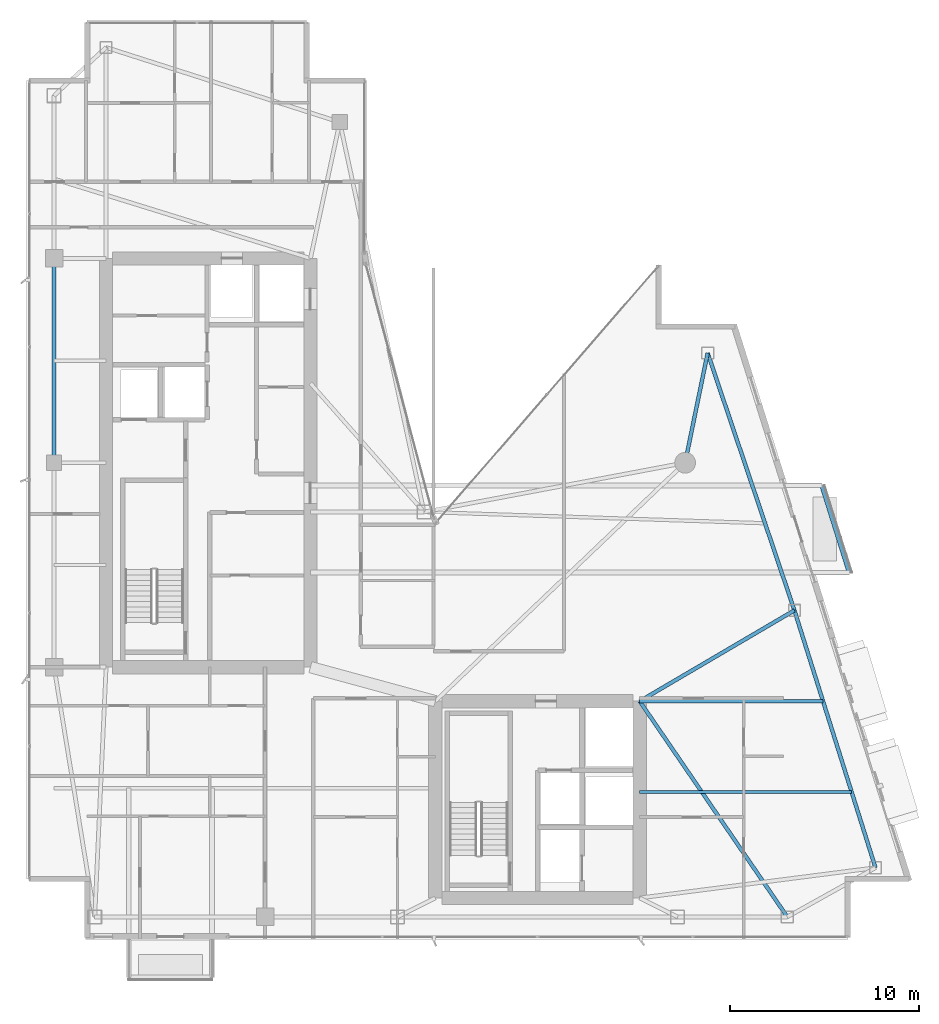
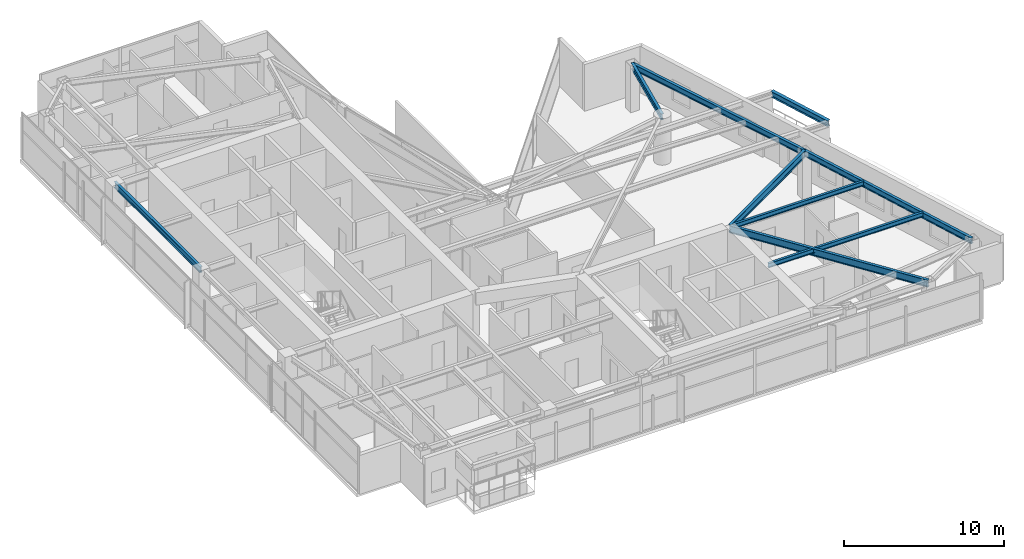
# One storey, part 15 of 29: 9 beams.
"""IFC4 building model written with IfcOpenShell, lengths in metres."""

from ifc_helpers import new_model, si_unit, direction, frame, origin, origin_2d, place, context, subcontext, project, spatial, i_section, extrude, material, material_profile, profile_set, type_object, element, save


model = new_model("IFC4")

# Units and contexts
model_context = context("Model", 3, precision=1e-05, world=origin(), true_north=direction((0.0, 1.0)))
body_context = subcontext(model_context, "Body", "Model", "MODEL_VIEW")
ifc_project = project(units=[si_unit("LENGTHUNIT", "METRE"), si_unit("AREAUNIT", "SQUARE_METRE"), si_unit("VOLUMEUNIT", "CUBIC_METRE"), si_unit("PLANEANGLEUNIT", "RADIAN"), si_unit("MASSUNIT", "GRAM", prefix="KILO")], contexts=[model_context])

# Site, building, storey
site_placement = place(None, origin())
site = spatial("IfcSite", under=ifc_project, at=site_placement, CompositionType="ELEMENT")
building_placement = place(site_placement, origin())
building = spatial("IfcBuilding", under=site, at=building_placement, Name="Calvorn Quay Hotel", CompositionType="ELEMENT")
storey_placement = place(building_placement, frame((0.0, 0.0, 255.199951171875)))
storey = spatial("IfcBuildingStorey", under=building, at=storey_placement, Name="L63", CompositionType="ELEMENT", Elevation=255.199951171875)

# Beams
ifc_material_1 = material(Name="Steel Q355B", Category="steel")
ifc_material_profile_1 = material_profile(ifc_material_1, i_section(OverallWidth=0.25, OverallDepth=0.449951171875, WebThickness=0.011962890625, FlangeThickness=0.01611328125, FilletRadius=0.01611328125, at=origin_2d()), Name="HN450x250x12x16")
ifc_profile_set_1 = profile_set([ifc_material_profile_1], Name="Steel Q355B")
beam_type_1 = type_object("IfcBeamType", Name="BM-CANT-BALC", PredefinedType="BEAM", material=ifc_profile_set_1)
beam_1_placement = place(storey_placement, frame((43.486083984375, 21.800048828125, 3.31494140625), z_axis=(-0.300450487966, 0.953797412599, 0.0), x_axis=(-0.953797412599, -0.300450487966, 0.0)))
element("IfcBeam", 1, at=beam_1_placement, inside=storey, type_object=beam_type_1, Name="Beam BCBO-L64-1", PredefinedType="BEAM", context=body_context, shape_type="SweptSolid", body=[
    extrude(i_section(OverallWidth=0.25, OverallDepth=0.449951171875, WebThickness=0.011962890625, FlangeThickness=0.01611328125, FilletRadius=0.01611328125, at=origin_2d()), origin(), (0.0, 0.0, 1.0), 4.82275390625),
])
ifc_material_2 = material(Name="Steel Q355B", Category="steel")
ifc_material_profile_2 = material_profile(ifc_material_2, i_section(OverallWidth=0.199951171875, OverallDepth=0.550048828125, WebThickness=0.010009765625, FlangeThickness=0.01611328125, FilletRadius=0.01806640625, at=origin_2d()), Name="HN550x200x10x16")
ifc_profile_set_2 = profile_set([ifc_material_profile_2], Name="Steel Q355B")
beam_type_2 = type_object("IfcBeamType", Name="BM-GIRD-UPP", PredefinedType="BEAM", material=ifc_profile_set_2)
beam_2_placement = place(storey_placement, frame((32.39990234375, 15.0, 3.26513671875), z_axis=(0.862366169926, 0.506285086653, 0.0), x_axis=(-0.506285086653, 0.862366169926, 0.0)))
element("IfcBeam", 2, at=beam_2_placement, inside=storey, type_object=beam_type_2, Name="Beam BG-L63-E2", PredefinedType="BEAM", context=body_context, shape_type="SweptSolid", body=[
    extrude(i_section(OverallWidth=0.199951171875, OverallDepth=0.550048828125, WebThickness=0.010009765625, FlangeThickness=0.01611328125, FilletRadius=0.01806640625, at=origin_2d()), origin(), (0.0, 0.0, 1.0), 9.48095703125),
])
beam_3_placement = place(storey_placement, frame((40.199951171875, 3.60009765625, 3.26513671875), z_axis=(-0.564689618177, 0.825303359452, 0.0), x_axis=(-0.825303359452, -0.564689618177, 0.0)))
element("IfcBeam", 3, at=beam_3_placement, inside=storey, type_object=beam_type_2, Name="Beam BG-L63-E6", PredefinedType="BEAM", context=body_context, shape_type="SweptSolid", body=[
    extrude(i_section(OverallWidth=0.199951171875, OverallDepth=0.550048828125, WebThickness=0.010009765625, FlangeThickness=0.01611328125, FilletRadius=0.01806640625, at=origin_2d()), origin(), (0.0, 0.0, 1.0), 13.81298828125),
])
ifc_material_3 = material(Name="Steel Q355B", Category="steel")
ifc_material_profile_3 = material_profile(ifc_material_3, i_section(OverallWidth=0.175048828125, OverallDepth=0.35009765625, WebThickness=0.007080078125, FlangeThickness=0.010986328125, FilletRadius=0.013916015625, at=origin_2d()), Name="HN350x175x7x11")
ifc_profile_set_3 = profile_set([ifc_material_profile_3], Name="Steel Q355B")
beam_type_3 = type_object("IfcBeamType", Name="BM-JOIST-SEC", PredefinedType="JOIST", material=ifc_profile_set_3)
beam_4_placement = place(storey_placement, frame((32.39990234375, 10.199951171875, 3.364990234375), z_axis=(1.0, 0.0, 0.0), x_axis=(0.0, 1.0, 0.0)))
element("IfcBeam", 4, at=beam_4_placement, inside=storey, type_object=beam_type_3, Name="Beam BJ-L63-E1", PredefinedType="JOIST", context=body_context, shape_type="SweptSolid", body=[
    extrude(i_section(OverallWidth=0.175048828125, OverallDepth=0.35009765625, WebThickness=0.007080078125, FlangeThickness=0.010986328125, FilletRadius=0.013916015625, at=origin_2d()), origin(), (0.0, 0.0, 1.0), 11.201171875),
])
beam_5_placement = place(storey_placement, frame((32.39990234375, 15.0, 3.364990234375), z_axis=(1.0, 0.0, 0.0), x_axis=(0.0, 1.0, 0.0)))
element("IfcBeam", 5, at=beam_5_placement, inside=storey, type_object=beam_type_3, Name="Beam BJ-L63-E2", PredefinedType="JOIST", context=body_context, shape_type="SweptSolid", body=[
    extrude(i_section(OverallWidth=0.175048828125, OverallDepth=0.35009765625, WebThickness=0.007080078125, FlangeThickness=0.010986328125, FilletRadius=0.013916015625, at=origin_2d()), origin(), (0.0, 0.0, 1.0), 9.68798828125),
])
ifc_material_4 = material(Name="Steel Q355B", Category="steel")
ifc_material_profile_4 = material_profile(ifc_material_4, i_section(OverallWidth=0.199951171875, OverallDepth=0.449951171875, WebThickness=0.009033203125, FlangeThickness=0.013916015625, FilletRadius=0.01611328125, at=origin_2d()), Name="HN450x200x9x14")
ifc_profile_set_4 = profile_set([ifc_material_profile_4], Name="Steel Q355B")
beam_type_4 = type_object("IfcBeamType", Name="BM-SPANDREL-Z3", PredefinedType="SPANDREL", material=ifc_profile_set_4)
beam_6_placement = place(storey_placement, frame((1.449951171875, 27.60009765625, 3.31494140625), z_axis=(0.0, 1.0, 0.0), x_axis=(-1.0, 0.0, 0.0)))
element("IfcBeam", 6, at=beam_6_placement, inside=storey, type_object=beam_type_4, Name="Beam BSP-L63-W3", PredefinedType="SPANDREL", context=body_context, shape_type="SweptSolid", body=[
    extrude(i_section(OverallWidth=0.199951171875, OverallDepth=0.449951171875, WebThickness=0.009033203125, FlangeThickness=0.013916015625, FilletRadius=0.01611328125, at=origin_2d()), origin(), (0.0, 0.0, 1.0), 10.7998046875),
])
beam_7_placement = place(storey_placement, frame((44.861083984375, 6.199951171875, 3.31494140625), z_axis=(-0.300518378216, 0.953776024208, 0.0), x_axis=(-0.953776024208, -0.300518378216, 0.0)))
element("IfcBeam", 7, at=beam_7_placement, inside=storey, type_object=beam_type_4, Name="Beam BSP-L63-E1", PredefinedType="SPANDREL", context=body_context, shape_type="SweptSolid", body=[
    extrude(i_section(OverallWidth=0.199951171875, OverallDepth=0.449951171875, WebThickness=0.009033203125, FlangeThickness=0.013916015625, FilletRadius=0.01611328125, at=origin_2d()), origin(), (0.0, 0.0, 1.0), 14.25927734375),
])
beam_8_placement = place(storey_placement, frame((40.575927734375, 19.800048828125, 3.31494140625), z_axis=(-0.319466515944, 0.947597564998, 0.0), x_axis=(-0.947597564998, -0.319466515944, 0.0)))
element("IfcBeam", 8, at=beam_8_placement, inside=storey, type_object=beam_type_4, Name="Beam BSP-L63-E2", PredefinedType="SPANDREL", context=body_context, shape_type="SweptSolid", body=[
    extrude(i_section(OverallWidth=0.199951171875, OverallDepth=0.449951171875, WebThickness=0.009033203125, FlangeThickness=0.013916015625, FilletRadius=0.01611328125, at=origin_2d()), origin(), (0.0, 0.0, 1.0), 14.35205078125),
])
beam_9_placement = place(storey_placement, frame((35.990966796875, 33.39990234375, 3.31494140625), z_axis=(-0.201140971716, -0.979562305061, 0.0), x_axis=(0.979562305061, -0.201140971716, 0.0)))
element("IfcBeam", 9, at=beam_9_placement, inside=storey, type_object=beam_type_4, Name="Beam BSP-L63-E3", PredefinedType="SPANDREL", context=body_context, shape_type="SweptSolid", body=[
    extrude(i_section(OverallWidth=0.199951171875, OverallDepth=0.449951171875, WebThickness=0.009033203125, FlangeThickness=0.013916015625, FilletRadius=0.01611328125, at=origin_2d()), origin(), (0.0, 0.0, 1.0), 5.9208984375),
])

save(model, "model.ifc")
